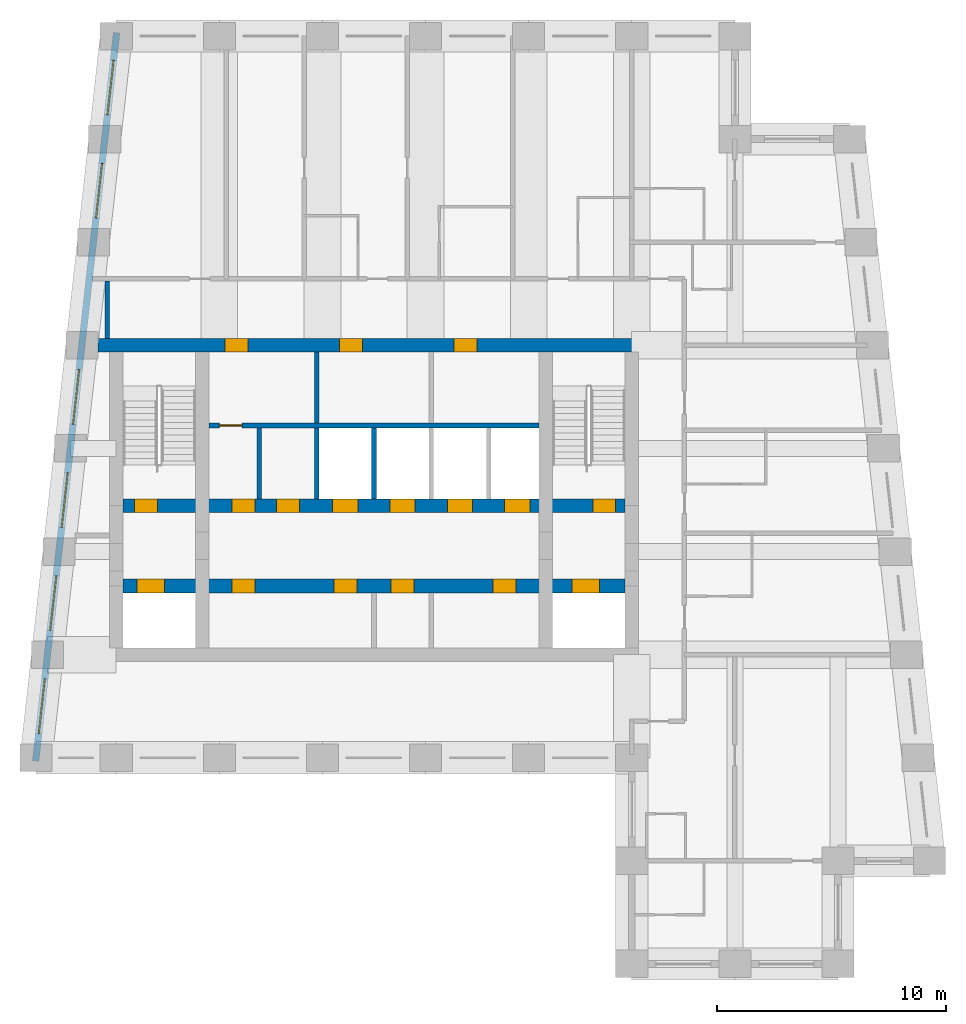
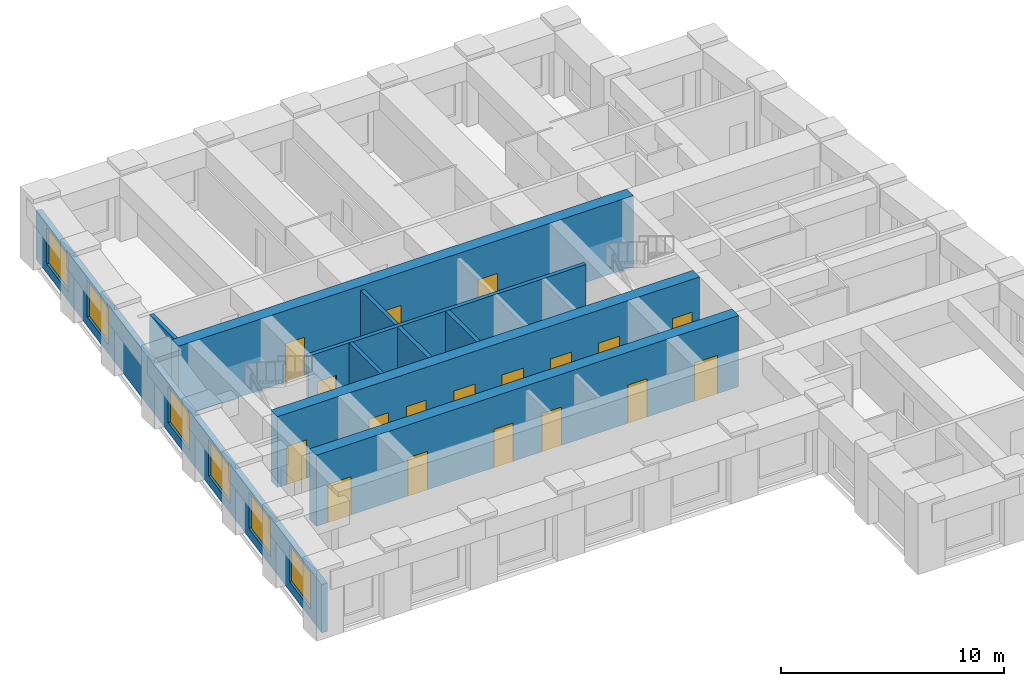
# One storey, part 3 of 7: 18 doors, 10 walls, 6 windows, 24 openings.
"""IFC4 building model written with IfcOpenShell, lengths in metres."""

from ifc_helpers import new_model, si_unit, direction, frame, frame_2d, origin, place, context, subcontext, project, spatial, rectangle, extrude, material, layer, layer_set, type_object, element, fill, save


model = new_model("IFC4")

# Units and contexts
model_context = context("Model", 3, precision=1e-05, world=origin(), true_north=direction((0.0, 1.0)))
body_context = subcontext(model_context, "Body", "Model", "MODEL_VIEW")
ifc_project = project(units=[si_unit("LENGTHUNIT", "METRE"), si_unit("AREAUNIT", "SQUARE_METRE"), si_unit("VOLUMEUNIT", "CUBIC_METRE"), si_unit("PLANEANGLEUNIT", "RADIAN"), si_unit("MASSUNIT", "GRAM", prefix="KILO")], contexts=[model_context])

# Site, building, storey
site_placement = place(None, origin())
site = spatial("IfcSite", under=ifc_project, at=site_placement, CompositionType="ELEMENT")
building_placement = place(site_placement, origin())
building = spatial("IfcBuilding", under=site, at=building_placement, Name="Kilele Tower Hotel", CompositionType="ELEMENT")
storey_placement = place(building_placement, frame((0.0, 0.0, 254.60009765625)))
storey = spatial("IfcBuildingStorey", under=building, at=storey_placement, Name="L65", CompositionType="ELEMENT", Elevation=254.60009765625)

# Wall, openings, doors
ifc_material_1 = material(Name="Concrete C60/75", Category="concrete")
ifc_layer_1 = layer(ifc_material_1, 0.60009765625)
ifc_layer_set_1 = layer_set([ifc_layer_1], Name="Concrete C60/75")
wall_type_1 = type_object("IfcWallType", Name="Core wall 600 C60/75", PredefinedType="SHEAR", material=ifc_layer_set_1)
wall_1_placement = place(storey_placement, frame((36.300048828125, 27.0, 0.0), z_axis=(0.0, 0.0, 1.0), x_axis=(-1.0, 0.0, 0.0)))
wall_1 = element("IfcWall", 1, at=wall_1_placement, inside=storey, type_object=wall_type_1, Name="Core wall N L65", PredefinedType="SHEAR", context=body_context, shape_type="SweptSolid", body=[
    extrude(rectangle(XDim=23.60009765625, YDim=0.60009765625, at=frame_2d((11.800048828125, 0.0))), origin(), (0.0, 0.0, 1.0), 3.89990234375),
])
opening_1_placement = place(wall_1_placement, frame((17.050048828125, 0.0, 0.0)))
opening_1 = element("IfcOpeningElement", 2, at=opening_1_placement, cuts=wall_1, Name="Opening D12", PredefinedType="OPENING", context=body_context, shape_type="SweptSolid", body=[
    extrude(rectangle(XDim=1.0, YDim=2.10009765625, at=frame_2d((0.5, 1.050048828125))), frame((0.0, 0.31005859375, 0.0), z_axis=(0.0, -1.0, 0.0), x_axis=(1.0, 0.0, 0.0)), (0.0, 0.0, 1.0), 0.6201171875),
])
opening_2_placement = place(wall_1_placement, frame((12.050048828125, 0.0, 0.0)))
opening_2 = element("IfcOpeningElement", 3, at=opening_2_placement, cuts=wall_1, Name="Opening D6", PredefinedType="OPENING", context=body_context, shape_type="SweptSolid", body=[
    extrude(rectangle(XDim=1.0, YDim=2.10009765625, at=frame_2d((0.5, 1.050048828125))), frame((0.0, 0.31005859375, 0.0), z_axis=(0.0, -1.0, 0.0), x_axis=(1.0, 0.0, 0.0)), (0.0, 0.0, 1.0), 0.6201171875),
])
opening_3_placement = place(wall_1_placement, frame((7.050048828125, 0.0, 0.0)))
opening_3 = element("IfcOpeningElement", 4, at=opening_3_placement, cuts=wall_1, Name="Opening D6", PredefinedType="OPENING", context=body_context, shape_type="SweptSolid", body=[
    extrude(rectangle(XDim=1.0, YDim=2.10009765625, at=frame_2d((0.5, 1.050048828125))), frame((0.0, 0.31005859375, 0.0), z_axis=(0.0, -1.0, 0.0), x_axis=(1.0, 0.0, 0.0)), (0.0, 0.0, 1.0), 0.6201171875),
])
ifc_material_2 = material(Name="Timber door leaf in hardwood frame", Category="wood")
door_type_1 = type_object("IfcDoorType", Name="Core lobby door 1000", OperationType="SINGLE_SWING_LEFT", PredefinedType="DOOR", material=ifc_material_2)
door_1_placement = place(opening_1_placement, origin())
door_1 = element("IfcDoor", 5, at=door_1_placement, inside=storey, type_object=door_type_1, Name="North lobby door L65", OperationType="SINGLE_SWING_RIGHT", OverallHeight=2.10009765625, OverallWidth=1.0, PredefinedType="DOOR", context=body_context, shape_type="SweptSolid", body=[
    extrude(rectangle(XDim=1.0, YDim=2.10009765625, at=frame_2d((0.5, 1.050048828125))), frame((0.0, 0.2998046875, 0.0), z_axis=(0.0, -1.0, 0.0), x_axis=(1.0, 0.0, 0.0)), (0.0, 0.0, 1.0), 0.599609375),
])
fill(opening_1, door_1)
ifc_material_3 = material(Name="Timber door leaf in hardwood frame", Category="wood")
door_type_2 = type_object("IfcDoorType", Name="Riser door 1000", OperationType="SINGLE_SWING_LEFT", PredefinedType="DOOR", material=ifc_material_3)
door_2_placement = place(opening_2_placement, origin())
door_2 = element("IfcDoor", 6, at=door_2_placement, inside=storey, type_object=door_type_2, Name="Housekeeping store door L65", OperationType="SINGLE_SWING_RIGHT", OverallHeight=2.10009765625, OverallWidth=1.0, PredefinedType="DOOR", context=body_context, shape_type="SweptSolid", body=[
    extrude(rectangle(XDim=1.0, YDim=2.10009765625, at=frame_2d((0.5, 1.050048828125))), frame((0.0, 0.2998046875, 0.0), z_axis=(0.0, -1.0, 0.0), x_axis=(1.0, 0.0, 0.0)), (0.0, 0.0, 1.0), 0.599609375),
])
fill(opening_2, door_2)
door_3_placement = place(opening_3_placement, origin())
door_3 = element("IfcDoor", 7, at=door_3_placement, inside=storey, type_object=door_type_2, Name="Electrical riser door L65", OperationType="SINGLE_SWING_RIGHT", OverallHeight=2.10009765625, OverallWidth=1.0, PredefinedType="DOOR", context=body_context, shape_type="SweptSolid", body=[
    extrude(rectangle(XDim=1.0, YDim=2.10009765625, at=frame_2d((0.5, 1.050048828125))), frame((0.0, 0.2998046875, 0.0), z_axis=(0.0, -1.0, 0.0), x_axis=(1.0, 0.0, 0.0)), (0.0, 0.0, 1.0), 0.599609375),
])
fill(opening_3, door_3)

wall_2_placement = place(storey_placement, frame((13.800048828125, 16.5, 0.0), z_axis=(0.0, 0.0, 1.0), x_axis=(1.0, 0.0, 0.0)))
wall_2 = element("IfcWall", 8, at=wall_2_placement, inside=storey, type_object=wall_type_1, Name="Core wall LS L65", PredefinedType="SHEAR", context=body_context, shape_type="SweptSolid", body=[
    extrude(rectangle(XDim=21.89990234375, YDim=0.60009765625, at=frame_2d((10.949951171875, 0.0))), origin(), (0.0, 0.0, 1.0), 3.89990234375),
])
opening_4_placement = place(wall_2_placement, frame((5.75, 0.0, 0.0), z_axis=(0.0, 0.0, 1.0), x_axis=(-1.0, 0.0, 0.0)))
opening_4 = element("IfcOpeningElement", 9, at=opening_4_placement, cuts=wall_2, Name="Opening D11", PredefinedType="OPENING", context=body_context, shape_type="SweptSolid", body=[
    extrude(rectangle(XDim=1.0, YDim=2.10009765625, at=frame_2d((0.5, 1.050048828125))), frame((0.0, 0.31005859375, 0.0), z_axis=(0.0, -1.0, 0.0), x_axis=(1.0, 0.0, 0.0)), (0.0, 0.0, 1.0), 0.6201171875),
])
opening_5_placement = place(wall_2_placement, frame((10.199951171875, 0.0, 0.0), z_axis=(0.0, 0.0, 1.0), x_axis=(-1.0, 0.0, 0.0)))
opening_5 = element("IfcOpeningElement", 10, at=opening_5_placement, cuts=wall_2, Name="Opening D11", PredefinedType="OPENING", context=body_context, shape_type="SweptSolid", body=[
    extrude(rectangle(XDim=1.0, YDim=2.10009765625, at=frame_2d((0.5, 1.050048828125))), frame((0.0, 0.31005859375, 0.0), z_axis=(0.0, -1.0, 0.0), x_axis=(1.0, 0.0, 0.0)), (0.0, 0.0, 1.0), 0.6201171875),
])
opening_6_placement = place(wall_2_placement, frame((12.699951171875, 0.0, 0.0), z_axis=(0.0, 0.0, 1.0), x_axis=(-1.0, 0.0, 0.0)))
opening_6 = element("IfcOpeningElement", 11, at=opening_6_placement, cuts=wall_2, Name="Opening D11", PredefinedType="OPENING", context=body_context, shape_type="SweptSolid", body=[
    extrude(rectangle(XDim=1.0, YDim=2.10009765625, at=frame_2d((0.5, 1.050048828125))), frame((0.0, 0.31005859375, 0.0), z_axis=(0.0, -1.0, 0.0), x_axis=(1.0, 0.0, 0.0)), (0.0, 0.0, 1.0), 0.6201171875),
])
opening_7_placement = place(wall_2_placement, frame((17.14990234375, 0.0, 0.0), z_axis=(0.0, 0.0, 1.0), x_axis=(-1.0, 0.0, 0.0)))
opening_7 = element("IfcOpeningElement", 12, at=opening_7_placement, cuts=wall_2, Name="Opening D11", PredefinedType="OPENING", context=body_context, shape_type="SweptSolid", body=[
    extrude(rectangle(XDim=1.0, YDim=2.10009765625, at=frame_2d((0.5, 1.050048828125))), frame((0.0, 0.31005859375, 0.0), z_axis=(0.0, -1.0, 0.0), x_axis=(1.0, 0.0, 0.0)), (0.0, 0.0, 1.0), 0.6201171875),
])
opening_8_placement = place(wall_2_placement, frame((0.60009765625, 0.0, 0.0)))
opening_8 = element("IfcOpeningElement", 13, at=opening_8_placement, cuts=wall_2, Name="Opening LD2", PredefinedType="OPENING", context=body_context, shape_type="SweptSolid", body=[
    extrude(rectangle(XDim=1.199951171875, YDim=2.10009765625, at=frame_2d((0.60009765625, 1.050048828125))), frame((0.0, 0.31005859375, 0.0), z_axis=(0.0, -1.0, 0.0), x_axis=(1.0, 0.0, 0.0)), (0.0, 0.0, 1.0), 0.6201171875),
])
opening_9_placement = place(wall_2_placement, frame((19.60009765625, 0.0, 0.0)))
opening_9 = element("IfcOpeningElement", 14, at=opening_9_placement, cuts=wall_2, Name="Opening LD2", PredefinedType="OPENING", context=body_context, shape_type="SweptSolid", body=[
    extrude(rectangle(XDim=1.199951171875, YDim=2.10009765625, at=frame_2d((0.60009765625, 1.050048828125))), frame((0.0, 0.31005859375, 0.0), z_axis=(0.0, -1.0, 0.0), x_axis=(1.0, 0.0, 0.0)), (0.0, 0.0, 1.0), 0.6201171875),
])
ifc_material_4 = material(Name="Timber door leaf in hardwood frame", Category="wood")
door_type_3 = type_object("IfcDoorType", Name="Core store door 1000", OperationType="SINGLE_SWING_LEFT", PredefinedType="DOOR", material=ifc_material_4)
door_4_placement = place(opening_4_placement, origin())
door_4 = element("IfcDoor", 15, at=door_4_placement, inside=storey, type_object=door_type_3, Name="Core room door L1 L65", OperationType="SINGLE_SWING_RIGHT", OverallHeight=2.10009765625, OverallWidth=1.0, PredefinedType="DOOR", context=body_context, shape_type="SweptSolid", body=[
    extrude(rectangle(XDim=1.0, YDim=2.10009765625, at=frame_2d((0.5, 1.050048828125))), frame((0.0, 0.2998046875, 0.0), z_axis=(0.0, -1.0, 0.0), x_axis=(1.0, 0.0, 0.0)), (0.0, 0.0, 1.0), 0.599609375),
])
fill(opening_4, door_4)
door_5_placement = place(opening_5_placement, origin())
door_5 = element("IfcDoor", 16, at=door_5_placement, inside=storey, type_object=door_type_3, Name="Core room door L3 L65", OperationType="SINGLE_SWING_LEFT", OverallHeight=2.10009765625, OverallWidth=1.0, PredefinedType="DOOR", context=body_context, shape_type="SweptSolid", body=[
    extrude(rectangle(XDim=1.0, YDim=2.10009765625, at=frame_2d((0.5, 1.050048828125))), frame((0.0, 0.2998046875, 0.0), z_axis=(0.0, -1.0, 0.0), x_axis=(1.0, 0.0, 0.0)), (0.0, 0.0, 1.0), 0.599609375),
])
fill(opening_5, door_5)
door_6_placement = place(opening_6_placement, origin())
door_6 = element("IfcDoor", 17, at=door_6_placement, inside=storey, type_object=door_type_3, Name="Core room door M1 L65", OperationType="SINGLE_SWING_LEFT", OverallHeight=2.10009765625, OverallWidth=1.0, PredefinedType="DOOR", context=body_context, shape_type="SweptSolid", body=[
    extrude(rectangle(XDim=1.0, YDim=2.10009765625, at=frame_2d((0.5, 1.050048828125))), frame((0.0, 0.2998046875, 0.0), z_axis=(0.0, -1.0, 0.0), x_axis=(1.0, 0.0, 0.0)), (0.0, 0.0, 1.0), 0.599609375),
])
fill(opening_6, door_6)
door_7_placement = place(opening_7_placement, origin())
door_7 = element("IfcDoor", 18, at=door_7_placement, inside=storey, type_object=door_type_3, Name="Core room door M3 L65", OperationType="SINGLE_SWING_LEFT", OverallHeight=2.10009765625, OverallWidth=1.0, PredefinedType="DOOR", context=body_context, shape_type="SweptSolid", body=[
    extrude(rectangle(XDim=1.0, YDim=2.10009765625, at=frame_2d((0.5, 1.050048828125))), frame((0.0, 0.2998046875, 0.0), z_axis=(0.0, -1.0, 0.0), x_axis=(1.0, 0.0, 0.0)), (0.0, 0.0, 1.0), 0.599609375),
])
fill(opening_7, door_7)
ifc_material_5 = material(Name="Steel lift landing door", Category="steel")
door_type_4 = type_object("IfcDoorType", Name="Firefighting lift landing door 1200", OperationType="SLIDING_TO_LEFT", PredefinedType="DOOR", material=ifc_material_5)
door_8_placement = place(opening_8_placement, origin())
door_8 = element("IfcDoor", 19, at=door_8_placement, inside=storey, type_object=door_type_4, Name="Landing door FFW L65", OperationType="SLIDING_TO_LEFT", OverallHeight=2.10009765625, OverallWidth=1.199951171875, PredefinedType="DOOR", context=body_context, shape_type="SweptSolid", body=[
    extrude(rectangle(XDim=1.199951171875, YDim=2.10009765625, at=frame_2d((0.60009765625, 1.050048828125))), frame((0.0, 0.2998046875, 0.0), z_axis=(0.0, -1.0, 0.0), x_axis=(1.0, 0.0, 0.0)), (0.0, 0.0, 1.0), 0.599609375),
])
fill(opening_8, door_8)
door_9_placement = place(opening_9_placement, origin())
door_9 = element("IfcDoor", 20, at=door_9_placement, inside=storey, type_object=door_type_4, Name="Landing door FFE L65", OperationType="SLIDING_TO_LEFT", OverallHeight=2.10009765625, OverallWidth=1.199951171875, PredefinedType="DOOR", context=body_context, shape_type="SweptSolid", body=[
    extrude(rectangle(XDim=1.199951171875, YDim=2.10009765625, at=frame_2d((0.60009765625, 1.050048828125))), frame((0.0, 0.2998046875, 0.0), z_axis=(0.0, -1.0, 0.0), x_axis=(1.0, 0.0, 0.0)), (0.0, 0.0, 1.0), 0.599609375),
])
fill(opening_9, door_9)

wall_3_placement = place(storey_placement, frame((13.800048828125, 20.0, 0.0), z_axis=(0.0, 0.0, 1.0), x_axis=(1.0, 0.0, 0.0)))
wall_3 = element("IfcWall", 21, at=wall_3_placement, inside=storey, type_object=wall_type_1, Name="Core wall LN L65", PredefinedType="SHEAR", context=body_context, shape_type="SweptSolid", body=[
    extrude(rectangle(XDim=21.89990234375, YDim=0.60009765625, at=frame_2d((10.949951171875, 0.0))), origin(), (0.0, 0.0, 1.0), 3.89990234375),
])
opening_10_placement = place(wall_3_placement, frame((0.5, 0.0, 0.0)))
opening_10 = element("IfcOpeningElement", 22, at=opening_10_placement, cuts=wall_3, Name="Opening D5", PredefinedType="OPENING", context=body_context, shape_type="SweptSolid", body=[
    extrude(rectangle(XDim=1.0, YDim=2.10009765625, at=frame_2d((0.5, 1.050048828125))), frame((0.0, 0.31005859375, 0.0), z_axis=(0.0, -1.0, 0.0), x_axis=(1.0, 0.0, 0.0)), (0.0, 0.0, 1.0), 0.6201171875),
])
opening_11_placement = place(wall_3_placement, frame((20.5, 0.0, 0.0)))
opening_11 = element("IfcOpeningElement", 23, at=opening_11_placement, cuts=wall_3, Name="Opening D5", PredefinedType="OPENING", context=body_context, shape_type="SweptSolid", body=[
    extrude(rectangle(XDim=1.0, YDim=2.10009765625, at=frame_2d((0.5, 1.050048828125))), frame((0.0, 0.31005859375, 0.0), z_axis=(0.0, -1.0, 0.0), x_axis=(1.0, 0.0, 0.0)), (0.0, 0.0, 1.0), 0.6201171875),
])
opening_12_placement = place(wall_3_placement, frame((9.14990234375, 0.0, 0.0)))
opening_12 = element("IfcOpeningElement", 24, at=opening_12_placement, cuts=wall_3, Name="Opening LD1", PredefinedType="OPENING", context=body_context, shape_type="SweptSolid", body=[
    extrude(rectangle(XDim=1.10009765625, YDim=2.10009765625, at=frame_2d((0.550048828125, 1.050048828125))), frame((0.0, 0.31005859375, 0.0), z_axis=(0.0, -1.0, 0.0), x_axis=(1.0, 0.0, 0.0)), (0.0, 0.0, 1.0), 0.6201171875),
])
opening_13_placement = place(wall_3_placement, frame((11.64990234375, 0.0, 0.0)))
opening_13 = element("IfcOpeningElement", 25, at=opening_13_placement, cuts=wall_3, Name="Opening LD1", PredefinedType="OPENING", context=body_context, shape_type="SweptSolid", body=[
    extrude(rectangle(XDim=1.10009765625, YDim=2.10009765625, at=frame_2d((0.550048828125, 1.050048828125))), frame((0.0, 0.31005859375, 0.0), z_axis=(0.0, -1.0, 0.0), x_axis=(1.0, 0.0, 0.0)), (0.0, 0.0, 1.0), 0.6201171875),
])
opening_14_placement = place(wall_3_placement, frame((14.14990234375, 0.0, 0.0)))
opening_14 = element("IfcOpeningElement", 26, at=opening_14_placement, cuts=wall_3, Name="Opening LD1", PredefinedType="OPENING", context=body_context, shape_type="SweptSolid", body=[
    extrude(rectangle(XDim=1.10009765625, YDim=2.10009765625, at=frame_2d((0.550048828125, 1.050048828125))), frame((0.0, 0.31005859375, 0.0), z_axis=(0.0, -1.0, 0.0), x_axis=(1.0, 0.0, 0.0)), (0.0, 0.0, 1.0), 0.6201171875),
])
opening_15_placement = place(wall_3_placement, frame((16.64990234375, 0.0, 0.0)))
opening_15 = element("IfcOpeningElement", 27, at=opening_15_placement, cuts=wall_3, Name="Opening LD1", PredefinedType="OPENING", context=body_context, shape_type="SweptSolid", body=[
    extrude(rectangle(XDim=1.10009765625, YDim=2.10009765625, at=frame_2d((0.550048828125, 1.050048828125))), frame((0.0, 0.31005859375, 0.0), z_axis=(0.0, -1.0, 0.0), x_axis=(1.0, 0.0, 0.0)), (0.0, 0.0, 1.0), 0.6201171875),
])
opening_16_placement = place(wall_3_placement, frame((5.75, 0.0, 0.0), z_axis=(0.0, 0.0, 1.0), x_axis=(-1.0, 0.0, 0.0)))
opening_16 = element("IfcOpeningElement", 28, at=opening_16_placement, cuts=wall_3, Name="Opening D12", PredefinedType="OPENING", context=body_context, shape_type="SweptSolid", body=[
    extrude(rectangle(XDim=1.0, YDim=2.10009765625, at=frame_2d((0.5, 1.050048828125))), frame((0.0, 0.31005859375, 0.0), z_axis=(0.0, -1.0, 0.0), x_axis=(1.0, 0.0, 0.0)), (0.0, 0.0, 1.0), 0.6201171875),
])
opening_17_placement = place(wall_3_placement, frame((6.699951171875, 0.0, 0.0)))
opening_17 = element("IfcOpeningElement", 29, at=opening_17_placement, cuts=wall_3, Name="Opening D11", PredefinedType="OPENING", context=body_context, shape_type="SweptSolid", body=[
    extrude(rectangle(XDim=1.0, YDim=2.10009765625, at=frame_2d((0.5, 1.050048828125))), frame((0.0, 0.31005859375, 0.0), z_axis=(0.0, -1.0, 0.0), x_axis=(1.0, 0.0, 0.0)), (0.0, 0.0, 1.0), 0.6201171875),
])
door_10_placement = place(opening_16_placement, origin())
door_10 = element("IfcDoor", 30, at=door_10_placement, inside=storey, type_object=door_type_1, Name="Core passage door L65", OperationType="SINGLE_SWING_RIGHT", OverallHeight=2.10009765625, OverallWidth=1.0, PredefinedType="DOOR", context=body_context, shape_type="SweptSolid", body=[
    extrude(rectangle(XDim=1.0, YDim=2.10009765625, at=frame_2d((0.5, 1.050048828125))), frame((0.0, 0.2998046875, 0.0), z_axis=(0.0, -1.0, 0.0), x_axis=(1.0, 0.0, 0.0)), (0.0, 0.0, 1.0), 0.599609375),
])
fill(opening_16, door_10)
door_11_placement = place(opening_17_placement, origin())
door_11 = element("IfcDoor", 31, at=door_11_placement, inside=storey, type_object=door_type_3, Name="Core room door S2 L65", OperationType="SINGLE_SWING_LEFT", OverallHeight=2.10009765625, OverallWidth=1.0, PredefinedType="DOOR", context=body_context, shape_type="SweptSolid", body=[
    extrude(rectangle(XDim=1.0, YDim=2.10009765625, at=frame_2d((0.5, 1.050048828125))), frame((0.0, 0.2998046875, 0.0), z_axis=(0.0, -1.0, 0.0), x_axis=(1.0, 0.0, 0.0)), (0.0, 0.0, 1.0), 0.599609375),
])
fill(opening_17, door_11)
ifc_material_6 = material(Name="Steel lift landing door", Category="steel")
door_type_5 = type_object("IfcDoorType", Name="Lift landing door 1100", OperationType="SLIDING_TO_LEFT", PredefinedType="DOOR", material=ifc_material_6)
door_12_placement = place(opening_12_placement, origin())
door_12 = element("IfcDoor", 32, at=door_12_placement, inside=storey, type_object=door_type_5, Name="Landing door H1 L65", OperationType="SLIDING_TO_LEFT", OverallHeight=2.10009765625, OverallWidth=1.10009765625, PredefinedType="DOOR", context=body_context, shape_type="SweptSolid", body=[
    extrude(rectangle(XDim=1.10009765625, YDim=2.10009765625, at=frame_2d((0.550048828125, 1.050048828125))), frame((0.0, 0.2998046875, 0.0), z_axis=(0.0, -1.0, 0.0), x_axis=(1.0, 0.0, 0.0)), (0.0, 0.0, 1.0), 0.599609375),
])
fill(opening_12, door_12)
door_13_placement = place(opening_13_placement, origin())
door_13 = element("IfcDoor", 33, at=door_13_placement, inside=storey, type_object=door_type_5, Name="Landing door H2 L65", OperationType="SLIDING_TO_LEFT", OverallHeight=2.10009765625, OverallWidth=1.10009765625, PredefinedType="DOOR", context=body_context, shape_type="SweptSolid", body=[
    extrude(rectangle(XDim=1.10009765625, YDim=2.10009765625, at=frame_2d((0.550048828125, 1.050048828125))), frame((0.0, 0.2998046875, 0.0), z_axis=(0.0, -1.0, 0.0), x_axis=(1.0, 0.0, 0.0)), (0.0, 0.0, 1.0), 0.599609375),
])
fill(opening_13, door_13)
door_14_placement = place(opening_14_placement, origin())
door_14 = element("IfcDoor", 34, at=door_14_placement, inside=storey, type_object=door_type_5, Name="Landing door H3 L65", OperationType="SLIDING_TO_LEFT", OverallHeight=2.10009765625, OverallWidth=1.10009765625, PredefinedType="DOOR", context=body_context, shape_type="SweptSolid", body=[
    extrude(rectangle(XDim=1.10009765625, YDim=2.10009765625, at=frame_2d((0.550048828125, 1.050048828125))), frame((0.0, 0.2998046875, 0.0), z_axis=(0.0, -1.0, 0.0), x_axis=(1.0, 0.0, 0.0)), (0.0, 0.0, 1.0), 0.599609375),
])
fill(opening_14, door_14)
door_15_placement = place(opening_15_placement, origin())
door_15 = element("IfcDoor", 35, at=door_15_placement, inside=storey, type_object=door_type_5, Name="Landing door G1 L65", OperationType="SLIDING_TO_LEFT", OverallHeight=2.10009765625, OverallWidth=1.10009765625, PredefinedType="DOOR", context=body_context, shape_type="SweptSolid", body=[
    extrude(rectangle(XDim=1.10009765625, YDim=2.10009765625, at=frame_2d((0.550048828125, 1.050048828125))), frame((0.0, 0.2998046875, 0.0), z_axis=(0.0, -1.0, 0.0), x_axis=(1.0, 0.0, 0.0)), (0.0, 0.0, 1.0), 0.599609375),
])
fill(opening_15, door_15)
ifc_material_7 = material(Name="Timber door leaf in hardwood frame", Category="wood")
door_type_6 = type_object("IfcDoorType", Name="Stair door 1000", OperationType="SINGLE_SWING_LEFT", PredefinedType="DOOR", material=ifc_material_7)
door_16_placement = place(opening_10_placement, origin())
door_16 = element("IfcDoor", 36, at=door_16_placement, inside=storey, type_object=door_type_6, Name="Stair 1 door L65", OperationType="SINGLE_SWING_LEFT", OverallHeight=2.10009765625, OverallWidth=1.0, PredefinedType="DOOR", context=body_context, shape_type="SweptSolid", body=[
    extrude(rectangle(XDim=1.0, YDim=2.10009765625, at=frame_2d((0.5, 1.050048828125))), frame((0.0, 0.2998046875, 0.0), z_axis=(0.0, -1.0, 0.0), x_axis=(1.0, 0.0, 0.0)), (0.0, 0.0, 1.0), 0.599609375),
])
fill(opening_10, door_16)
door_17_placement = place(opening_11_placement, origin())
door_17 = element("IfcDoor", 37, at=door_17_placement, inside=storey, type_object=door_type_6, Name="Stair 2 door L65", OperationType="SINGLE_SWING_RIGHT", OverallHeight=2.10009765625, OverallWidth=1.0, PredefinedType="DOOR", context=body_context, shape_type="SweptSolid", body=[
    extrude(rectangle(XDim=1.0, YDim=2.10009765625, at=frame_2d((0.5, 1.050048828125))), frame((0.0, 0.2998046875, 0.0), z_axis=(0.0, -1.0, 0.0), x_axis=(1.0, 0.0, 0.0)), (0.0, 0.0, 1.0), 0.599609375),
])
fill(opening_11, door_17)

# Wall
ifc_material_8 = material(Name="Blockwork, plastered both sides", Category="masonry")
ifc_layer_2 = layer(ifc_material_8, 0.199951171875)
ifc_layer_set_2 = layer_set([ifc_layer_2], Name="Blockwork, plastered both sides")
wall_type_2 = type_object("IfcWallType", Name="Partition wall 200", PredefinedType="PARTITIONING", material=ifc_layer_set_2)
wall_4_placement = place(storey_placement, frame((13.10009765625, 27.300048828125, 0.0), z_axis=(0.0, 0.0, 1.0), x_axis=(0.0, 1.0, 0.0)))
element("IfcWall", 38, at=wall_4_placement, inside=storey, type_object=wall_type_2, Name="Partition wall 200 L65", PredefinedType="PARTITIONING", context=body_context, shape_type="SweptSolid", body=[
    extrude(rectangle(XDim=2.5, YDim=0.199951171875, at=frame_2d((1.25, 0.0))), origin(), (0.0, 0.0, 1.0), 3.64990234375),
])

# Wall, openings, windows
ifc_material_9 = material(Name="Concrete C40/50 precast", Category="concrete")
ifc_layer_3 = layer(ifc_material_9, 0.260009765625, Name="Precast backing", Category="LoadBearing")
ifc_material_10 = material(Name="Reconstituted stone finish", Category="masonry")
ifc_layer_4 = layer(ifc_material_10, 0.0400390625, Name="Face mix", Category="Finish")
ifc_layer_set_3 = layer_set([ifc_layer_3, ifc_layer_4], Name="Precast concrete C40/50, reconstituted stone finish")
wall_type_3 = type_object("IfcWallType", Name="Precast stone facade wall 300", PredefinedType="STANDARD", material=ifc_layer_set_3)
wall_5_placement = place(storey_placement, frame((13.5166015625, 40.649169921875, 0.0), z_axis=(0.0, 0.0, 1.0), x_axis=(-0.110433201132, -0.993883548555, 0.0)))
wall_5 = element("IfcWall", 39, at=wall_5_placement, inside=storey, type_object=wall_type_3, Name="Facade wall L65 edge 10", PredefinedType="STANDARD", context=body_context, shape_type="SweptSolid", body=[
    extrude(rectangle(XDim=31.994140625, YDim=0.300048828125, at=frame_2d((15.9970703125, 0.0))), origin(), (0.0, 0.0, 1.0), 2.64990234375),
])
opening_18_placement = place(wall_5_placement, frame((1.214111328125, 0.0, 0.5)))
opening_18 = element("IfcOpeningElement", 40, at=opening_18_placement, cuts=wall_5, Name="Opening W4", PredefinedType="OPENING", context=body_context, shape_type="SweptSolid", body=[
    extrude(rectangle(XDim=2.39990234375, YDim=2.0, at=frame_2d((1.199951171875, 1.0))), frame((0.0, 0.159912109375, 0.0), z_axis=(0.0, -1.0, 0.0), x_axis=(1.0, 0.0, 0.0)), (0.0, 0.0, 1.0), 0.320068359375),
])
opening_19_placement = place(wall_5_placement, frame((5.741943359375, 0.0, 0.5)))
opening_19 = element("IfcOpeningElement", 41, at=opening_19_placement, cuts=wall_5, Name="Opening W4", PredefinedType="OPENING", context=body_context, shape_type="SweptSolid", body=[
    extrude(rectangle(XDim=2.39990234375, YDim=2.0, at=frame_2d((1.199951171875, 1.0))), frame((0.0, 0.159912109375, 0.0), z_axis=(0.0, -1.0, 0.0), x_axis=(1.0, 0.0, 0.0)), (0.0, 0.0, 1.0), 0.320068359375),
])
opening_20_placement = place(wall_5_placement, frame((14.797119140625, 0.0, 0.5)))
opening_20 = element("IfcOpeningElement", 42, at=opening_20_placement, cuts=wall_5, Name="Opening W4", PredefinedType="OPENING", context=body_context, shape_type="SweptSolid", body=[
    extrude(rectangle(XDim=2.39990234375, YDim=2.0, at=frame_2d((1.199951171875, 1.0))), frame((0.0, 0.159912109375, 0.0), z_axis=(0.0, -1.0, 0.0), x_axis=(1.0, 0.0, 0.0)), (0.0, 0.0, 1.0), 0.320068359375),
])
opening_21_placement = place(wall_5_placement, frame((19.324951171875, 0.0, 0.5)))
opening_21 = element("IfcOpeningElement", 43, at=opening_21_placement, cuts=wall_5, Name="Opening W4", PredefinedType="OPENING", context=body_context, shape_type="SweptSolid", body=[
    extrude(rectangle(XDim=2.39990234375, YDim=2.0, at=frame_2d((1.199951171875, 1.0))), frame((0.0, 0.159912109375, 0.0), z_axis=(0.0, -1.0, 0.0), x_axis=(1.0, 0.0, 0.0)), (0.0, 0.0, 1.0), 0.320068359375),
])
opening_22_placement = place(wall_5_placement, frame((23.85205078125, 0.0, 0.5)))
opening_22 = element("IfcOpeningElement", 44, at=opening_22_placement, cuts=wall_5, Name="Opening W4", PredefinedType="OPENING", context=body_context, shape_type="SweptSolid", body=[
    extrude(rectangle(XDim=2.39990234375, YDim=2.0, at=frame_2d((1.199951171875, 1.0))), frame((0.0, 0.159912109375, 0.0), z_axis=(0.0, -1.0, 0.0), x_axis=(1.0, 0.0, 0.0)), (0.0, 0.0, 1.0), 0.320068359375),
])
opening_23_placement = place(wall_5_placement, frame((28.3798828125, 0.0, 0.5)))
opening_23 = element("IfcOpeningElement", 45, at=opening_23_placement, cuts=wall_5, Name="Opening W4", PredefinedType="OPENING", context=body_context, shape_type="SweptSolid", body=[
    extrude(rectangle(XDim=2.39990234375, YDim=2.0, at=frame_2d((1.199951171875, 1.0))), frame((0.0, 0.159912109375, 0.0), z_axis=(0.0, -1.0, 0.0), x_axis=(1.0, 0.0, 0.0)), (0.0, 0.0, 1.0), 0.320068359375),
])
ifc_material_11 = material(Name="Aluminium frame, clear double glazing", Category="aluminium")
window_type = type_object("IfcWindowType", Name="Window W4 2400 x 2000", PartitioningType="SINGLE_PANEL", PredefinedType="WINDOW", material=ifc_material_11)
window_1_placement = place(opening_18_placement, origin())
window_1 = element("IfcWindow", 46, at=window_1_placement, inside=storey, type_object=window_type, Name="Window L65", OverallHeight=2.0, OverallWidth=2.39990234375, PartitioningType="SINGLE_PANEL", PredefinedType="WINDOW", context=body_context, shape_type="SweptSolid", body=[
    extrude(rectangle(XDim=2.39990234375, YDim=2.0, at=frame_2d((1.199951171875, 1.0))), frame((0.0, 0.030029296875, 0.0), z_axis=(0.0, -1.0, 0.0), x_axis=(1.0, 0.0, 0.0)), (0.0, 0.0, 1.0), 0.06005859375),
])
fill(opening_18, window_1)
window_2_placement = place(opening_19_placement, origin())
window_2 = element("IfcWindow", 47, at=window_2_placement, inside=storey, type_object=window_type, Name="Window L65", OverallHeight=2.0, OverallWidth=2.39990234375, PartitioningType="SINGLE_PANEL", PredefinedType="WINDOW", context=body_context, shape_type="SweptSolid", body=[
    extrude(rectangle(XDim=2.39990234375, YDim=2.0, at=frame_2d((1.199951171875, 1.0))), frame((0.0, 0.030029296875, 0.0), z_axis=(0.0, -1.0, 0.0), x_axis=(1.0, 0.0, 0.0)), (0.0, 0.0, 1.0), 0.06005859375),
])
fill(opening_19, window_2)
window_3_placement = place(opening_20_placement, origin())
window_3 = element("IfcWindow", 48, at=window_3_placement, inside=storey, type_object=window_type, Name="Window L65", OverallHeight=2.0, OverallWidth=2.39990234375, PartitioningType="SINGLE_PANEL", PredefinedType="WINDOW", context=body_context, shape_type="SweptSolid", body=[
    extrude(rectangle(XDim=2.39990234375, YDim=2.0, at=frame_2d((1.199951171875, 1.0))), frame((0.0, 0.030029296875, 0.0), z_axis=(0.0, -1.0, 0.0), x_axis=(1.0, 0.0, 0.0)), (0.0, 0.0, 1.0), 0.06005859375),
])
fill(opening_20, window_3)
window_4_placement = place(opening_21_placement, origin())
window_4 = element("IfcWindow", 49, at=window_4_placement, inside=storey, type_object=window_type, Name="Window L65", OverallHeight=2.0, OverallWidth=2.39990234375, PartitioningType="SINGLE_PANEL", PredefinedType="WINDOW", context=body_context, shape_type="SweptSolid", body=[
    extrude(rectangle(XDim=2.39990234375, YDim=2.0, at=frame_2d((1.199951171875, 1.0))), frame((0.0, 0.030029296875, 0.0), z_axis=(0.0, -1.0, 0.0), x_axis=(1.0, 0.0, 0.0)), (0.0, 0.0, 1.0), 0.06005859375),
])
fill(opening_21, window_4)
window_5_placement = place(opening_22_placement, origin())
window_5 = element("IfcWindow", 50, at=window_5_placement, inside=storey, type_object=window_type, Name="Window L65", OverallHeight=2.0, OverallWidth=2.39990234375, PartitioningType="SINGLE_PANEL", PredefinedType="WINDOW", context=body_context, shape_type="SweptSolid", body=[
    extrude(rectangle(XDim=2.39990234375, YDim=2.0, at=frame_2d((1.199951171875, 1.0))), frame((0.0, 0.030029296875, 0.0), z_axis=(0.0, -1.0, 0.0), x_axis=(1.0, 0.0, 0.0)), (0.0, 0.0, 1.0), 0.06005859375),
])
fill(opening_22, window_5)
window_6_placement = place(opening_23_placement, origin())
window_6 = element("IfcWindow", 51, at=window_6_placement, inside=storey, type_object=window_type, Name="Window L65", OverallHeight=2.0, OverallWidth=2.39990234375, PartitioningType="SINGLE_PANEL", PredefinedType="WINDOW", context=body_context, shape_type="SweptSolid", body=[
    extrude(rectangle(XDim=2.39990234375, YDim=2.0, at=frame_2d((1.199951171875, 1.0))), frame((0.0, 0.030029296875, 0.0), z_axis=(0.0, -1.0, 0.0), x_axis=(1.0, 0.0, 0.0)), (0.0, 0.0, 1.0), 0.06005859375),
])
fill(opening_23, window_6)

# Walls
ifc_material_12 = material(Name="Blockwork, fire-rated", Category="masonry")
ifc_layer_5 = layer(ifc_material_12, 0.199951171875)
ifc_layer_set_4 = layer_set([ifc_layer_5], Name="Blockwork, fire-rated")
wall_type_4 = type_object("IfcWallType", Name="Shaft wall 200", PredefinedType="PARTITIONING", material=ifc_layer_set_4)
for number, where, z_axis, x_axis, name in (
    (52, (19.75, 20.300048828125, 0.0), (0.0, 0.0, 1.0), (0.0, 1.0, 0.0), "Shaft wall 200 L65"),
    (53, (22.25, 20.300048828125, 0.0), (0.0, 0.0, 1.0), (0.0, 1.0, 0.0), "Shaft wall 200 L65"),
    (54, (24.75, 20.300048828125, 0.0), (0.0, 0.0, 1.0), (0.0, 1.0, 0.0), "Shaft wall 200 L65"),
):
    element("IfcWall", number, at=place(storey_placement, frame(where, z_axis=z_axis, x_axis=x_axis)), inside=storey, type_object=wall_type_4, Name=name, PredefinedType="PARTITIONING", context=body_context, shape_type="SweptSolid", body=[
        extrude(rectangle(XDim=3.099853515625, YDim=0.199951171875, at=frame_2d((1.5498046875, 0.0))), origin(), (0.0, 0.0, 1.0), 3.64990234375),
    ])

# Wall, opening, door
wall_6_placement = place(storey_placement, frame((17.550048828125, 23.5, 0.0), z_axis=(0.0, 0.0, 1.0), x_axis=(1.0, 0.0, 0.0)))
wall_6 = element("IfcWall", 55, at=wall_6_placement, inside=storey, type_object=wall_type_4, Name="Shaft wall 200 L65", PredefinedType="PARTITIONING", context=body_context, shape_type="SweptSolid", body=[
    extrude(rectangle(XDim=14.39990234375, YDim=0.199951171875, at=frame_2d((7.199951171875, 0.0))), origin(), (0.0, 0.0, 1.0), 3.64990234375),
])
opening_24_placement = place(wall_6_placement, frame((0.449951171875, 0.0, 0.0)))
opening_24 = element("IfcOpeningElement", 56, at=opening_24_placement, cuts=wall_6, Name="Opening D12", PredefinedType="OPENING", context=body_context, shape_type="SweptSolid", body=[
    extrude(rectangle(XDim=1.0, YDim=2.10009765625, at=frame_2d((0.5, 1.050048828125))), frame((0.0, 0.10986328125, 0.0), z_axis=(0.0, -1.0, 0.0), x_axis=(1.0, 0.0, 0.0)), (0.0, 0.0, 1.0), 0.219970703125),
])
door_18_placement = place(opening_24_placement, origin())
door_18 = element("IfcDoor", 57, at=door_18_placement, inside=storey, type_object=door_type_1, Name="Core passage door", OperationType="SINGLE_SWING_LEFT", OverallHeight=2.10009765625, OverallWidth=1.0, PredefinedType="DOOR", context=body_context, shape_type="SweptSolid", body=[
    extrude(rectangle(XDim=1.0, YDim=2.10009765625, at=frame_2d((0.5, 1.050048828125))), frame((0.0, 0.02490234375, 0.0), z_axis=(0.0, -1.0, 0.0), x_axis=(1.0, 0.0, 0.0)), (0.0, 0.0, 1.0), 0.050048828125),
])
fill(opening_24, door_18)

# Wall
wall_7_placement = place(storey_placement, frame((22.25, 23.60009765625, 0.0), z_axis=(0.0, 0.0, 1.0), x_axis=(0.0, 1.0, 0.0)))
element("IfcWall", 58, at=wall_7_placement, inside=storey, type_object=wall_type_4, Name="Shaft wall 200 L65", PredefinedType="PARTITIONING", context=body_context, shape_type="SweptSolid", body=[
    extrude(rectangle(XDim=3.099853515625, YDim=0.199951171875, at=frame_2d((1.5498046875, 0.0))), origin(), (0.0, 0.0, 1.0), 3.64990234375),
])

save(model, "model.ifc")
